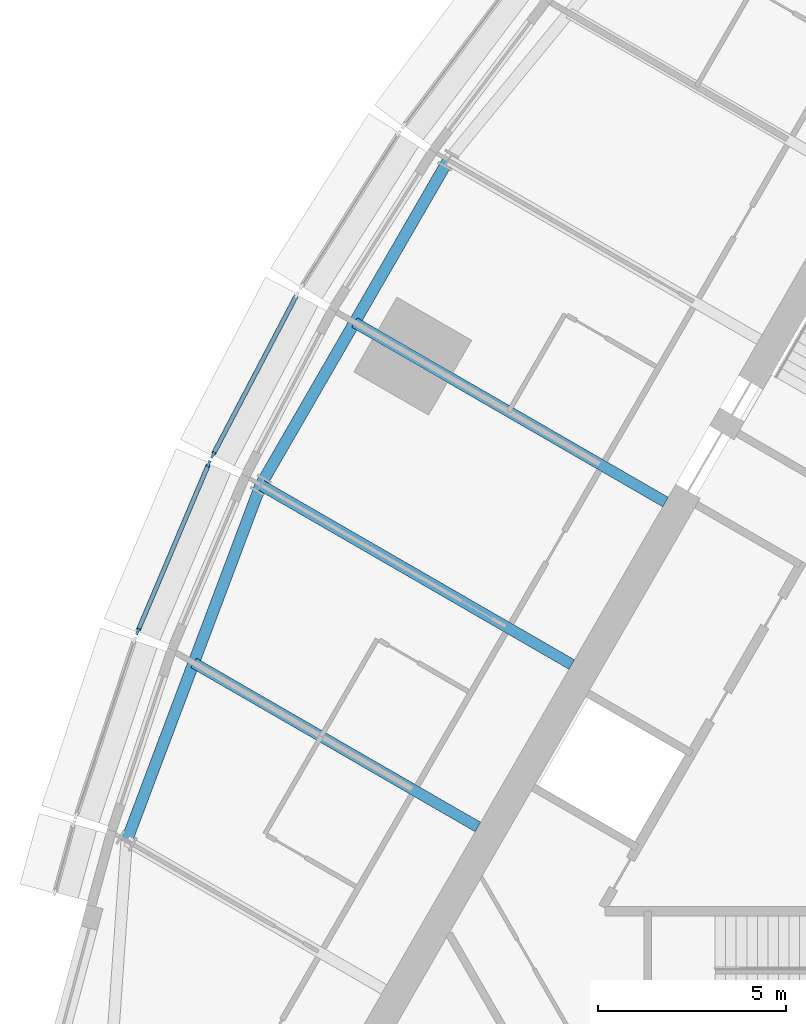
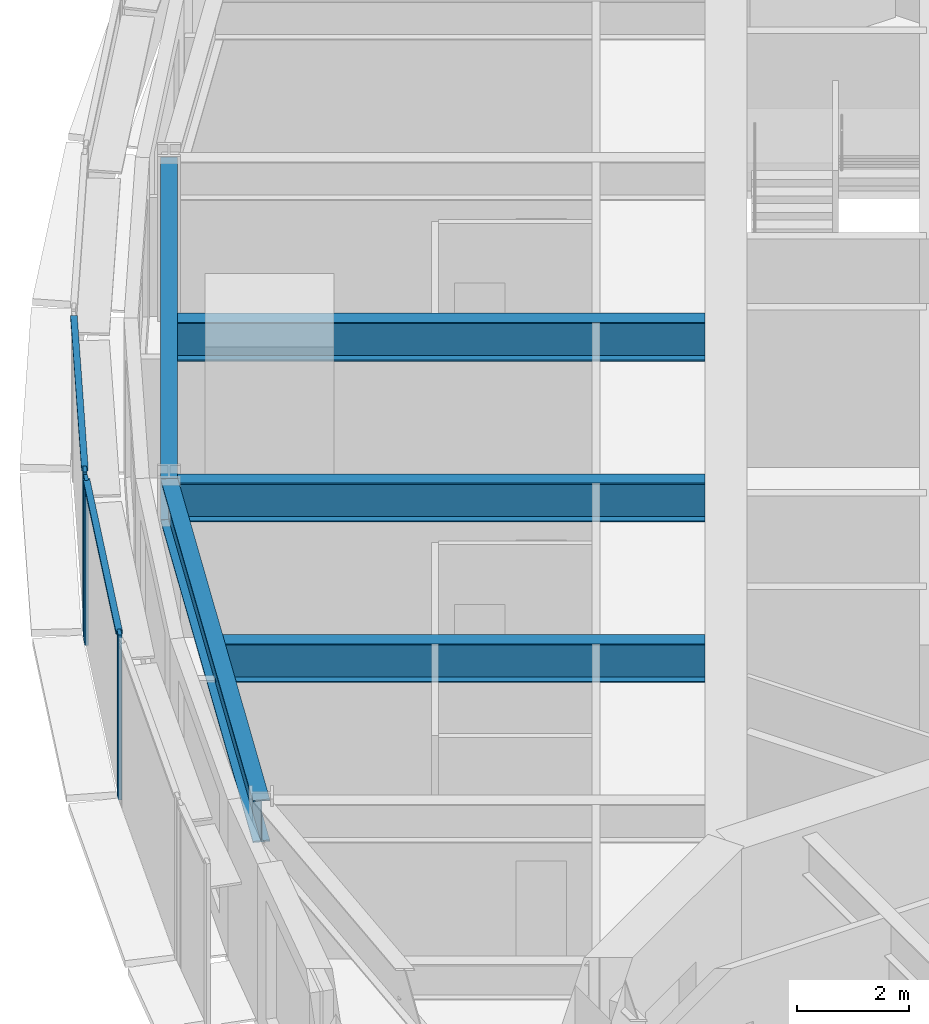
# One storey, part 3 of 15: 5 beams, 5 members, 2 elements without a shape of their own.
"""IFC4 building model written with IfcOpenShell, lengths in metres."""

from ifc_helpers import new_model, si_unit, direction, frame, origin, origin_2d, place, context, subcontext, project, spatial, rectangle, i_section, extrude, material, material_profile, profile_set, type_object, element, aggregate, save


model = new_model("IFC4")

# Units and contexts
model_context = context("Model", 3, precision=1e-05, world=origin(), true_north=direction((0.0, 1.0)))
body_context = subcontext(model_context, "Body", "Model", "MODEL_VIEW")
ifc_project = project(units=[si_unit("LENGTHUNIT", "METRE"), si_unit("AREAUNIT", "SQUARE_METRE"), si_unit("VOLUMEUNIT", "CUBIC_METRE"), si_unit("PLANEANGLEUNIT", "RADIAN"), si_unit("MASSUNIT", "GRAM", prefix="KILO")], contexts=[model_context])

# Site, building, storey
site_placement = place(None, origin())
site = spatial("IfcSite", under=ifc_project, at=site_placement, CompositionType="ELEMENT")
building_placement = place(site_placement, origin())
building = spatial("IfcBuilding", under=site, at=building_placement, Name="Trikona Tower", CompositionType="ELEMENT")
storey_placement = place(building_placement, frame((0.0, 0.0, 226.10009765625)))
storey = spatial("IfcBuildingStorey", under=building, at=storey_placement, Name="L60", CompositionType="ELEMENT", Elevation=226.10009765625)

# Curtain wall, member
ifc_material_1 = material(Name="Aluminium curtain wall system", Category="aluminium")
curtain_wall_type = type_object("IfcCurtainWallType", Name="Curtain wall DS3", PredefinedType="NOTDEFINED", material=ifc_material_1)
curtain_wall_1_placement = place(storey_placement, origin())
curtain_wall_1 = element("IfcCurtainWall", 1, at=curtain_wall_1_placement, inside=storey, type_object=curtain_wall_type, Name="Curtain wall DS3 L60", PredefinedType="NOTDEFINED")
ifc_material_2 = material(Name="Aluminium mullion, pale anodised", Category="aluminium")
ifc_material_profile_1 = material_profile(ifc_material_2, rectangle(XDim=0.070068359375, YDim=0.179931640625, at=origin_2d()), Name="MUL-DS3")
ifc_profile_set_1 = profile_set([ifc_material_profile_1], Name="Aluminium mullion, pale anodised")
member_type_1 = type_object("IfcMemberType", Name="Mullion DS3 70x180", PredefinedType="MULLION", material=ifc_profile_set_1)
member_1_placement = place(storey_placement, frame((-20.635986328125, 6.20751953125, 0.0), z_axis=(0.0, 0.0, 1.0), x_axis=(0.885862390527, -0.463948084434, 0.0)))
member_1 = element("IfcMember", 2, at=member_1_placement, type_object=member_type_1, Name="CW-DS3 mullion 2", PredefinedType="MULLION", context=body_context, shape_type="SweptSolid", body=[
    extrude(rectangle(XDim=0.070068359375, YDim=0.179931640625, at=origin_2d()), origin(), (0.0, 0.0, 1.0), 3.599853515625),
])

# Curtain wall, members
curtain_wall_2_placement = place(storey_placement, origin())
curtain_wall_2 = element("IfcCurtainWall", 3, at=curtain_wall_2_placement, inside=storey, type_object=curtain_wall_type, Name="Curtain wall DS3 L60", PredefinedType="NOTDEFINED")
member_2_placement = place(storey_placement, frame((-20.74853515625, 5.969482421875, 0.0), z_axis=(0.0, 0.0, 1.0), x_axis=(0.920792322808, -0.390053199266, 0.0)))
member_2 = element("IfcMember", 4, at=member_2_placement, type_object=member_type_1, Name="CW-DS3 mullion 1", PredefinedType="MULLION", context=body_context, shape_type="SweptSolid", body=[
    extrude(rectangle(XDim=0.070068359375, YDim=0.179931640625, at=origin_2d()), origin(), (0.0, 0.0, 1.0), 3.599853515625),
])
member_3_placement = place(storey_placement, frame((-22.6396484375, 1.50537109375, 0.0), z_axis=(0.0, 0.0, 1.0), x_axis=(0.920792322808, -0.390053199266, 0.0)))
member_3 = element("IfcMember", 5, at=member_3_placement, type_object=member_type_1, Name="CW-DS3 mullion 2", PredefinedType="MULLION", context=body_context, shape_type="SweptSolid", body=[
    extrude(rectangle(XDim=0.070068359375, YDim=0.179931640625, at=origin_2d()), origin(), (0.0, 0.0, 1.0), 3.599853515625),
])

# Beams
ifc_material_3 = material(Name="Steel ASTM A992 Grade 50", Category="steel")
ifc_material_profile_2 = material_profile(ifc_material_3, i_section(OverallWidth=0.2919921875, OverallDepth=0.845703125, WebThickness=0.015380859375, FlangeThickness=0.0244140625, at=origin_2d()), Name="W33X141")
ifc_profile_set_2 = profile_set([ifc_material_profile_2], Name="Steel ASTM A992 Grade 50")
beam_type_1 = type_object("IfcBeamType", Name="Steel beam W33x141 (radial typ)", PredefinedType="BEAM", material=ifc_profile_set_2)
for number, where, z_axis, x_axis, name in (
    (6, (-8.57470703125, 4.95068359375, 3.011962890625), (-0.866025863714, 0.499999203377, 0.0), (-0.499999203377, -0.866025863714, 0.0), "Floor beam L61 F3 u0"),
    (7, (-11.07470703125, 0.62060546875, 3.011962890625), (-0.866025863714, 0.499999203377, 0.0), (-0.499999203377, -0.866025863714, 0.0), "Floor beam L61 F3 u5"),
):
    element("IfcBeam", number, at=place(storey_placement, frame(where, z_axis=z_axis, x_axis=x_axis)), inside=storey, type_object=beam_type_1, Name=name, PredefinedType="BEAM", context=body_context, shape_type="SweptSolid", body=[
        extrude(i_section(OverallWidth=0.2919921875, OverallDepth=0.845703125, WebThickness=0.015380859375, FlangeThickness=0.0244140625, at=origin_2d()), origin(), (0.0, 0.0, 1.0), 9.57080078125),
    ])
beam_1_placement = place(storey_placement, frame((-13.57470703125, -3.709716796875, 3.011962890625), z_axis=(-0.866013609749, 0.500020427312, 0.0), x_axis=(-0.500020427312, -0.866013609749, 0.0)))
element("IfcBeam", 8, at=beam_1_placement, inside=storey, type_object=beam_type_1, Name="Floor beam L61 F3 u10", PredefinedType="BEAM", context=body_context, shape_type="SweptSolid", body=[
    extrude(i_section(OverallWidth=0.2919921875, OverallDepth=0.845703125, WebThickness=0.015380859375, FlangeThickness=0.0244140625, at=origin_2d()), origin(), (0.0, 0.0, 1.0), 8.747314453125),
])
ifc_material_4 = material(Name="Steel ASTM A992 Grade 50", Category="steel")
ifc_material_profile_3 = material_profile(ifc_material_4, i_section(OverallWidth=0.307373046875, OverallDepth=0.922119140625, WebThickness=0.018310546875, FlangeThickness=0.030029296875, at=origin_2d()), Name="W36X182")
ifc_profile_set_3 = profile_set([ifc_material_profile_3], Name="Steel ASTM A992 Grade 50")
beam_type_2 = type_object("IfcBeamType", Name="Steel beam W36x182 (spandrel mid)", PredefinedType="SPANDREL", material=ifc_profile_set_3)
beam_2_placement = place(storey_placement, frame((-14.36328125, 14.066162109375, 2.973876953125), z_axis=(-0.500004234368, -0.866022959057, 0.0), x_axis=(0.866022959057, -0.500004234368, 0.0)))
element("IfcBeam", 9, at=beam_2_placement, inside=storey, type_object=beam_type_2, Name="Spandrel beam L61 F3-3", PredefinedType="SPANDREL", context=body_context, shape_type="SweptSolid", body=[
    extrude(i_section(OverallWidth=0.307373046875, OverallDepth=0.922119140625, WebThickness=0.018310546875, FlangeThickness=0.030029296875, at=origin_2d()), origin(), (0.0, 0.0, 1.0), 10.0),
])
beam_3_placement = place(storey_placement, frame((-19.36328125, 5.406005859375, 2.973876953125), z_axis=(-0.352596088442, -0.935775613283, 0.0), x_axis=(0.935775613283, -0.352596088442, 0.0)))
element("IfcBeam", 10, at=beam_3_placement, inside=storey, type_object=beam_type_2, Name="Spandrel beam L61 F3-4", PredefinedType="SPANDREL", context=body_context, shape_type="SweptSolid", body=[
    extrude(i_section(OverallWidth=0.307373046875, OverallDepth=0.922119140625, WebThickness=0.018310546875, FlangeThickness=0.030029296875, at=origin_2d()), origin(), (0.0, 0.0, 1.0), 10.134765625),
])

# Member
ifc_material_5 = material(Name="Aluminium transom, pale anodised", Category="aluminium")
ifc_material_profile_4 = material_profile(ifc_material_5, rectangle(XDim=0.1201171875, YDim=0.070068359375, at=origin_2d()), Name="TRN-DS3")
ifc_profile_set_4 = profile_set([ifc_material_profile_4], Name="Aluminium transom, pale anodised")
member_type_2 = type_object("IfcMemberType", Name="Transom DS3 70x120", PredefinedType="USERDEFINED", material=ifc_profile_set_4)
member_4_placement = place(storey_placement, frame((-18.418701171875, 10.44140625, 3.56494140625), z_axis=(-0.463910848027, -0.885881891158, 0.0), x_axis=(0.885881891158, -0.463910848027, 0.0)))
member_4 = element("IfcMember", 11, at=member_4_placement, type_object=member_type_2, Name="CW-DS3 transom 1.1", ObjectType="TRANSOM", PredefinedType="USERDEFINED", context=body_context, shape_type="SweptSolid", body=[
    extrude(rectangle(XDim=0.1201171875, YDim=0.070068359375, at=origin_2d()), origin(), (0.0, 0.0, 1.0), 4.744384765625),
])

aggregate(curtain_wall_1, [member_1, member_4])

member_5_placement = place(storey_placement, frame((-20.76220703125, 5.937255859375, 3.56494140625), z_axis=(-0.390061662668, -0.920788737614, 0.0), x_axis=(0.920788737614, -0.390061662668, 0.0)))
member_5 = element("IfcMember", 12, at=member_5_placement, type_object=member_type_2, Name="CW-DS3 transom 1.1", ObjectType="TRANSOM", PredefinedType="USERDEFINED", context=body_context, shape_type="SweptSolid", body=[
    extrude(rectangle(XDim=0.1201171875, YDim=0.070068359375, at=origin_2d()), origin(), (0.0, 0.0, 1.0), 4.778076171875),
])

aggregate(curtain_wall_2, [member_2, member_3, member_5])

save(model, "model.ifc")
